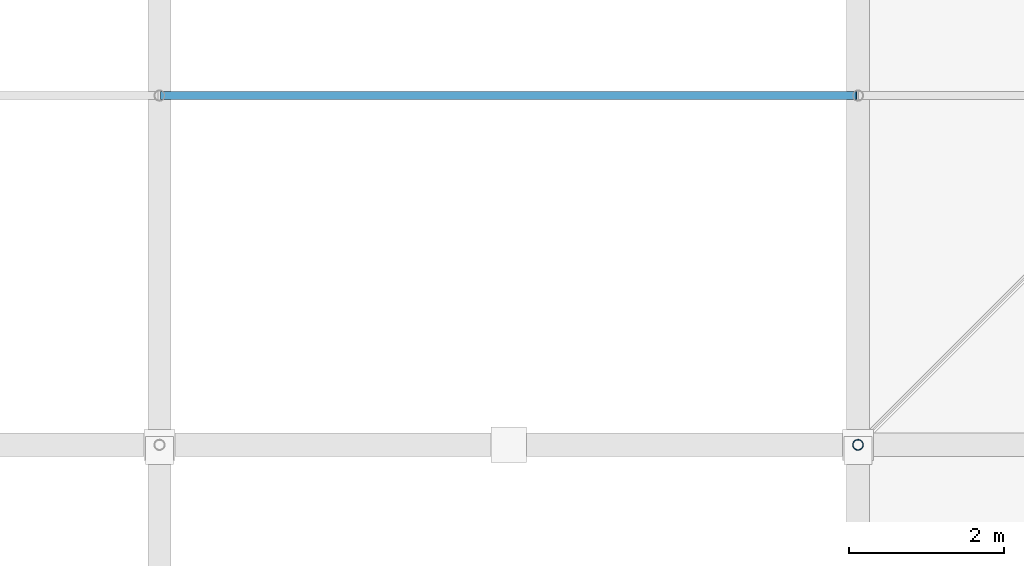
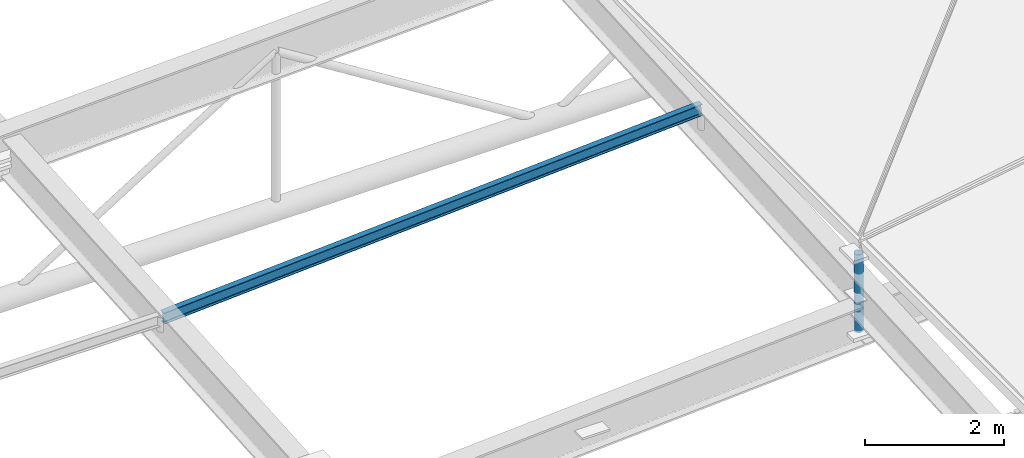
# One storey, part 21 of 80: 2 members.
"""IFC4 building model written with IfcOpenShell, lengths in metres."""

from ifc_helpers import new_model, si_unit, direction, frame, origin, origin_2d, place, context, subcontext, project, spatial, hollow_circle, i_section, extrude, material, material_profile, profile_set, type_object, element, save


model = new_model("IFC4")

# Units and contexts
model_context = context("Model", 3, precision=1e-05, world=origin(), true_north=direction((0.0, 1.0)))
body_context = subcontext(model_context, "Body", "Model", "MODEL_VIEW")
ifc_project = project(units=[si_unit("LENGTHUNIT", "METRE"), si_unit("AREAUNIT", "SQUARE_METRE"), si_unit("VOLUMEUNIT", "CUBIC_METRE"), si_unit("PLANEANGLEUNIT", "RADIAN"), si_unit("MASSUNIT", "GRAM", prefix="KILO")], contexts=[model_context])

# Site, building, storey
site_placement = place(None, origin())
site = spatial("IfcSite", under=ifc_project, at=site_placement, CompositionType="ELEMENT")
building_placement = place(site_placement, origin())
building = spatial("IfcBuilding", under=site, at=building_placement, Name="Barlavento Convention Centre", CompositionType="ELEMENT")
storey_placement = place(building_placement, frame((0.0, 0.0, 29.800048828125)))
storey = spatial("IfcBuildingStorey", under=building, at=storey_placement, Name="RF", CompositionType="ELEMENT", Elevation=29.800048828125)

# Members
ifc_material = material(Name="Steel S355", Category="steel")
ifc_material_profile_1 = material_profile(ifc_material, hollow_circle(Radius=0.06982421875, WallThickness=0.008056640625, at=origin_2d()), Name="CHS 139.7x8.0")
ifc_profile_set_1 = profile_set([ifc_material_profile_1], Name="Steel S355")
member_type_1 = type_object("IfcMemberType", Name="STR-MEM-DIAG-CHS139", PredefinedType="BRACE", material=ifc_profile_set_1)
member_1_placement = place(storey_placement, frame((45.0, 9.0, -1.40625), z_axis=(0.0, 0.0, 1.0), x_axis=(1.0, 0.0, 0.0)))
element("IfcMember", 1, at=member_1_placement, inside=storey, type_object=member_type_1, Name="Congress space frame vertical node post TD04", PredefinedType="BRACE", context=body_context, shape_type="SweptSolid", body=[
    extrude(hollow_circle(Radius=0.06982421875, WallThickness=0.008056640625, at=origin_2d()), origin(), (0.0, 0.0, 1.0), 1.369873046875),
])
ifc_material_profile_2 = material_profile(ifc_material, i_section(OverallWidth=0.10009765625, OverallDepth=0.199951171875, WebThickness=0.005615234375, FlangeThickness=0.008544921875, FilletRadius=0.011962890625, at=origin_2d()), Name="IPE 200")
ifc_profile_set_2 = profile_set([ifc_material_profile_2], Name="Steel S355")
member_type_2 = type_object("IfcMemberType", Name="STR-MEM-PUR-IPE200", PredefinedType="PURLIN", material=ifc_profile_set_2)
member_2_placement = place(storey_placement, frame((36.02001953125, 13.5, -0.76318359375), z_axis=(0.99818200864, 0.0, 0.060271698396), x_axis=(0.0, 1.0, 0.0)))
element("IfcMember", 2, at=member_2_placement, inside=storey, type_object=member_type_2, Name="Congress roof intermediate purlin PR01", PredefinedType="PURLIN", context=body_context, shape_type="SweptSolid", body=[
    extrude(i_section(OverallWidth=0.10009765625, OverallDepth=0.199951171875, WebThickness=0.005615234375, FlangeThickness=0.008544921875, FilletRadius=0.011962890625, at=origin_2d()), origin(), (0.0, 0.0, 1.0), 8.976318359375),
])

save(model, "model.ifc")
